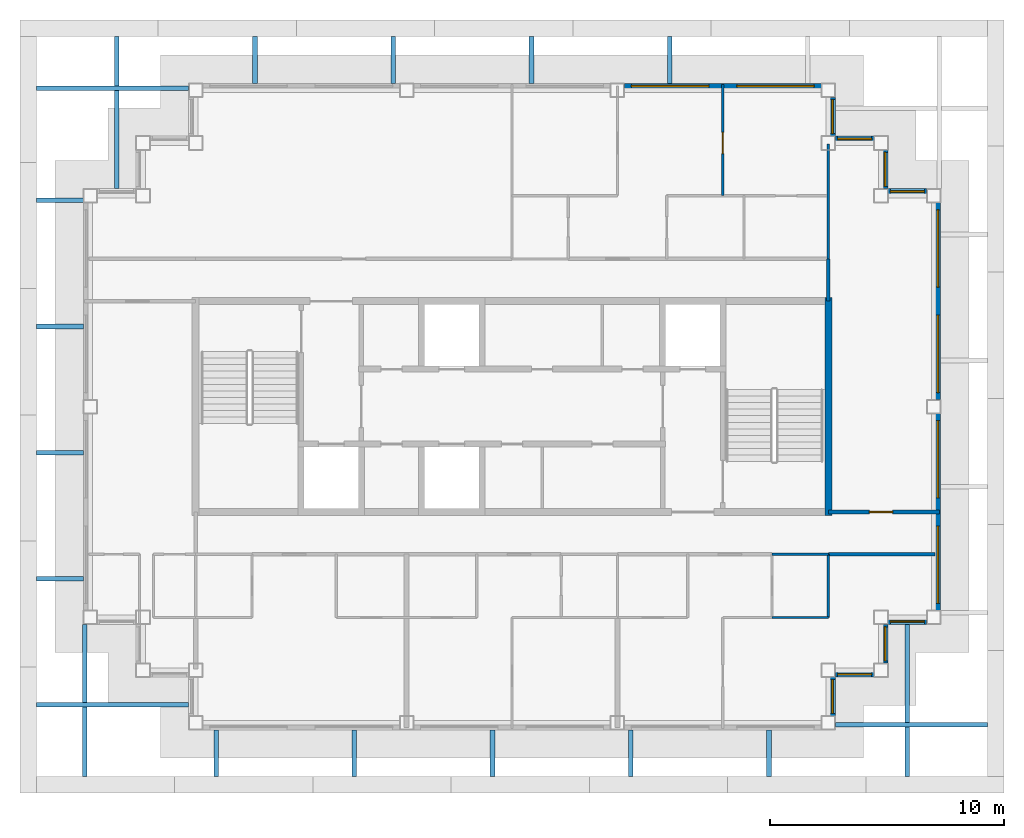
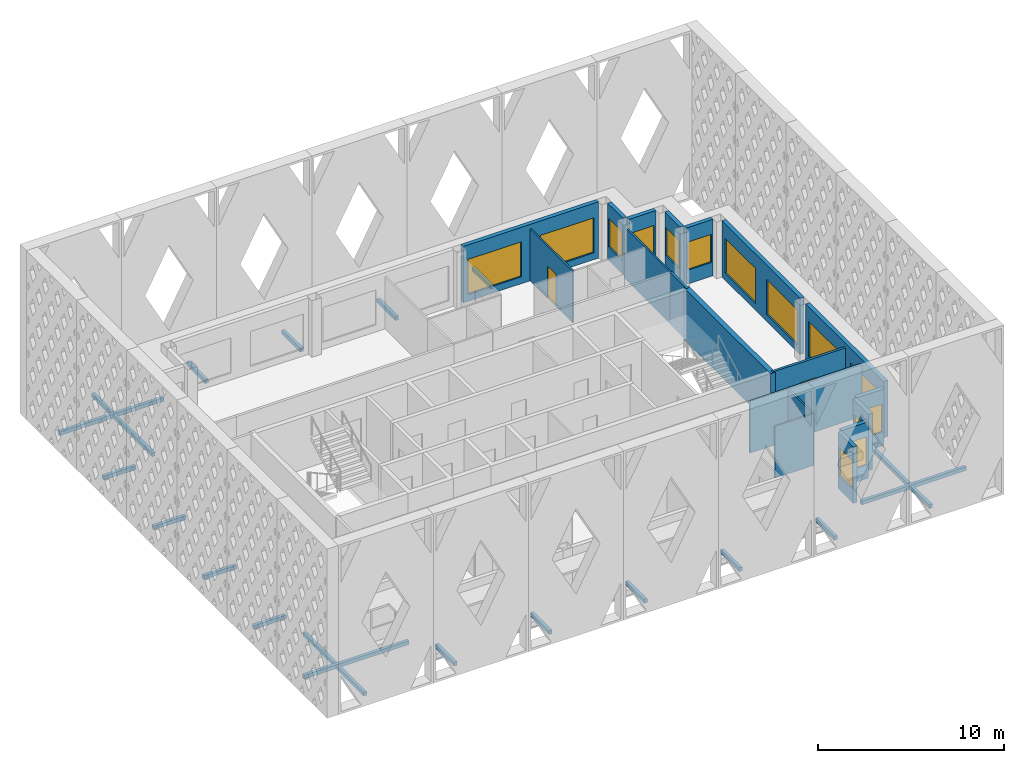
# One storey, part 5 of 13: 20 walls, 19 discrete accessories, 14 windows, 2 doors, 16 openings.
"""IFC4 building model written with IfcOpenShell, lengths in metres."""

from ifc_helpers import new_model, si_unit, direction, frame, frame_2d, origin, origin_2d, place, context, subcontext, project, spatial, rectangle, extrude, material, layer, layer_set, type_object, element, fill, save


model = new_model("IFC4")

# Units and contexts
model_context = context("Model", 3, precision=1e-05, world=origin(), true_north=direction((0.0, 1.0)))
body_context = subcontext(model_context, "Body", "Model", "MODEL_VIEW")
ifc_project = project(units=[si_unit("LENGTHUNIT", "METRE"), si_unit("AREAUNIT", "SQUARE_METRE"), si_unit("VOLUMEUNIT", "CUBIC_METRE"), si_unit("PLANEANGLEUNIT", "RADIAN"), si_unit("MASSUNIT", "GRAM", prefix="KILO")], contexts=[model_context])

# Site, building, storey
site_placement = place(None, origin())
site = spatial("IfcSite", under=ifc_project, at=site_placement, CompositionType="ELEMENT")
building_placement = place(site_placement, origin())
building = spatial("IfcBuilding", under=site, at=building_placement, Name="Caravel Reach Hotel and Residences", CompositionType="ELEMENT")
storey_placement = place(building_placement, frame((0.0, 0.0, 294.5)))
storey = spatial("IfcBuildingStorey", under=building, at=storey_placement, Name="L75", CompositionType="ELEMENT", Elevation=294.5)

# Walls
ifc_material_1 = material(Name="Gypsum board on steel stud", Category="steel")
ifc_layer_1 = layer(ifc_material_1, 0.10009765625)
ifc_layer_set_1 = layer_set([ifc_layer_1], Name="Bathroom pod wall 100 mm")
wall_type_1 = type_object("IfcWallType", Name="Bathroom pod wall 100 mm", PredefinedType="PARTITIONING", material=ifc_layer_set_1)
for number, where, z_axis, x_axis, name in (
    (1, (42.60009765625, 18.0, 0.0), (0.0, 0.0, 1.0), (1.0, 0.0, 0.0), "L75 wall w047"),
    (2, (42.60009765625, 20.699951171875, 0.0), (0.0, 0.0, 1.0), (1.0, 0.0, 0.0), "L75 wall w050"),
):
    element("IfcWall", number, at=place(storey_placement, frame(where, z_axis=z_axis, x_axis=x_axis)), inside=storey, type_object=wall_type_1, Name=name, PredefinedType="PARTITIONING", context=body_context, shape_type="SweptSolid", body=[
        extrude(rectangle(XDim=2.39990234375, YDim=0.10009765625, at=frame_2d((1.199951171875, 0.0))), origin(), (0.0, 0.0, 1.0), 3.39990234375),
    ])
wall_1_placement = place(storey_placement, frame((45.0, 18.0, 0.0), z_axis=(0.0, 0.0, 1.0), x_axis=(0.0, 1.0, 0.0)))
element("IfcWall", 3, at=wall_1_placement, inside=storey, type_object=wall_type_1, Name="L75 wall w062", PredefinedType="PARTITIONING", context=body_context, shape_type="SweptSolid", body=[
    extrude(rectangle(XDim=2.698974609375, YDim=0.10009765625, at=frame_2d((1.349609375, 0.0))), origin(), (0.0, 0.0, 1.0), 3.39990234375),
])
ifc_material_2 = material(Name="Concrete C60", Category="concrete")
ifc_layer_2 = layer(ifc_material_2, 0.300048828125)
ifc_layer_set_2 = layer_set([ifc_layer_2], Name="Core wall 300 mm EI 120")
wall_type_2 = type_object("IfcWallType", Name="Core wall 300 mm EI 120", PredefinedType="SHEAR", material=ifc_layer_set_2)
wall_2_placement = place(storey_placement, frame((45.0, 22.35009765625, 0.0), z_axis=(0.0, 0.0, 1.0), x_axis=(0.0, 1.0, 0.0)))
element("IfcWall", 4, at=wall_2_placement, inside=storey, type_object=wall_type_2, Name="L75 core wall E", PredefinedType="SHEAR", context=body_context, shape_type="SweptSolid", body=[
    extrude(rectangle(XDim=9.2998046875, YDim=0.300048828125, at=frame_2d((4.64990234375, 0.0))), origin(), (0.0, 0.0, 1.0), 3.39990234375),
])
ifc_material_3 = material(Name="Gypsum board on steel stud, fire-rated", Category="steel")
ifc_layer_3 = layer(ifc_material_3, 0.14990234375)
ifc_layer_set_3 = layer_set([ifc_layer_3], Name="Corridor wall 150 mm EI 60")
wall_type_3 = type_object("IfcWallType", Name="Corridor wall 150 mm EI 60", PredefinedType="PARTITIONING", material=ifc_layer_set_3)
wall_3_placement = place(storey_placement, frame((45.0009765625, 20.699951171875, 0.0), z_axis=(0.0, 0.0, 1.0), x_axis=(1.0, 0.0, 0.0)))
element("IfcWall", 5, at=wall_3_placement, inside=storey, type_object=wall_type_3, Name="L75 wall w005", PredefinedType="PARTITIONING", context=body_context, shape_type="SweptSolid", body=[
    extrude(rectangle(XDim=4.549072265625, YDim=0.14990234375, at=frame_2d((2.2744140625, 0.0))), origin(), (0.0, 0.0, 1.0), 3.39990234375),
])

# Wall, opening, door
wall_4_placement = place(storey_placement, frame((45.0, 22.5, 0.0), z_axis=(0.0, 0.0, 1.0), x_axis=(1.0, 0.0, 0.0)))
wall_4 = element("IfcWall", 6, at=wall_4_placement, inside=storey, type_object=wall_type_3, Name="L75 wall w008", PredefinedType="PARTITIONING", context=body_context, shape_type="SweptSolid", body=[
    extrude(rectangle(XDim=4.739990234375, YDim=0.14990234375, at=frame_2d((2.3701171875, 0.0))), origin(), (0.0, 0.0, 1.0), 3.39990234375),
])
opening_1_placement = place(wall_4_placement, frame((1.75, 0.0, 0.0)))
opening_1 = element("IfcOpeningElement", 7, at=opening_1_placement, cuts=wall_4, Name="Opening D75-038", PredefinedType="OPENING", context=body_context, shape_type="SweptSolid", body=[
    extrude(rectangle(XDim=1.0, YDim=2.10009765625, at=frame_2d((0.5, 1.050048828125))), frame((0.0, 0.0849609375, 0.0), z_axis=(0.0, -1.0, 0.0), x_axis=(1.0, 0.0, 0.0)), (0.0, 0.0, 1.0), 0.169921875),
])
ifc_material_4 = material(Name="Steel fire door leaf", Category="steel")
door_type_1 = type_object("IfcDoorType", Name="Fire door 1000 x 2100 EI 60", OperationType="SINGLE_SWING_LEFT", PredefinedType="DOOR", material=ifc_material_4)
door_1_placement = place(opening_1_placement, origin())
door_1 = element("IfcDoor", 8, at=door_1_placement, inside=storey, type_object=door_type_1, Name="door D75-038", OperationType="SINGLE_SWING_RIGHT", OverallHeight=2.10009765625, OverallWidth=1.0, PredefinedType="DOOR", context=body_context, shape_type="SweptSolid", body=[
    extrude(rectangle(XDim=1.0, YDim=2.10009765625, at=frame_2d((0.5, 1.050048828125))), frame((0.0, 0.02490234375, 0.0), z_axis=(0.0, -1.0, 0.0), x_axis=(1.0, 0.0, 0.0)), (0.0, 0.0, 1.0), 0.050048828125),
])
fill(opening_1, door_1)

# Wall
wall_5_placement = place(storey_placement, frame((45.0, 31.5, 0.0), z_axis=(0.0, 0.0, 1.0), x_axis=(0.0, 1.0, 0.0)))
element("IfcWall", 9, at=wall_5_placement, inside=storey, type_object=wall_type_3, Name="L75 wall w016", PredefinedType="PARTITIONING", context=body_context, shape_type="SweptSolid", body=[
    extrude(rectangle(XDim=1.800048828125, YDim=0.14990234375, at=frame_2d((0.89990234375, 0.0))), origin(), (0.0, 0.0, 1.0), 3.39990234375),
])

# Wall, opening, window
ifc_material_5 = material(Name="Insulated rainscreen wall, aluminium cladding", Category="aluminium")
ifc_layer_4 = layer(ifc_material_5, 0.25)
ifc_layer_set_4 = layer_set([ifc_layer_4], Name="EW1 Tower rainscreen wall")
wall_type_4 = type_object("IfcWallType", Name="EW1 Tower rainscreen wall", PredefinedType="SOLIDWALL", material=ifc_layer_set_4)
wall_6_placement = place(storey_placement, frame((45.175048828125, 13.800048828125, 0.0), z_axis=(0.0, 0.0, 1.0), x_axis=(0.0, 1.0, 0.0)))
wall_6 = element("IfcWall", 10, at=wall_6_placement, inside=storey, type_object=wall_type_4, Name="External wall L75 E1.1", PredefinedType="SOLIDWALL", context=body_context, shape_type="SweptSolid", body=[
    extrude(rectangle(XDim=1.64990234375, YDim=0.25, at=frame_2d((0.824951171875, 0.0))), origin(), (0.0, 0.0, 1.0), 3.699951171875),
])
opening_2_placement = place(wall_6_placement, frame((0.10009765625, 0.0, 0.89990234375)))
opening_2 = element("IfcOpeningElement", 11, at=opening_2_placement, cuts=wall_6, Name="Opening WN25", PredefinedType="OPENING", context=body_context, shape_type="SweptSolid", body=[
    extrude(rectangle(XDim=1.449951171875, YDim=1.85009765625, at=frame_2d((0.72509765625, 0.925048828125))), frame((0.0, 0.135009765625, 0.0), z_axis=(0.0, -1.0, 0.0), x_axis=(1.0, 0.0, 0.0)), (0.0, 0.0, 1.0), 0.27001953125),
])
ifc_material_6 = material(Name="Dark low-e glazing in black aluminium frame", Category="aluminium")
window_type_1 = type_object("IfcWindowType", Name="Residence bedroom window 1450 x 1850", PartitioningType="SINGLE_PANEL", PredefinedType="WINDOW", material=ifc_material_6)
window_1_placement = place(opening_2_placement, origin())
window_1 = element("IfcWindow", 12, at=window_1_placement, inside=storey, type_object=window_type_1, Name="Window L75 E1.1.1", OverallHeight=1.85009765625, OverallWidth=1.449951171875, PartitioningType="SINGLE_PANEL", PredefinedType="WINDOW", context=body_context, shape_type="SweptSolid", body=[
    extrude(rectangle(XDim=1.449951171875, YDim=1.85009765625, at=frame_2d((0.72509765625, 0.925048828125))), frame((0.0, 0.030029296875, 0.0), z_axis=(0.0, -1.0, 0.0), x_axis=(1.0, 0.0, 0.0)), (0.0, 0.0, 1.0), 0.06005859375),
])
fill(opening_2, window_1)

wall_7_placement = place(storey_placement, frame((45.300048828125, 15.574951171875, 0.0), z_axis=(0.0, 0.0, 1.0), x_axis=(1.0, 0.0, 0.0)))
wall_7 = element("IfcWall", 13, at=wall_7_placement, inside=storey, type_object=wall_type_4, Name="External wall L75 S2.1", PredefinedType="SOLIDWALL", context=body_context, shape_type="SweptSolid", body=[
    extrude(rectangle(XDim=1.64990234375, YDim=0.25, at=frame_2d((0.824951171875, 0.0))), origin(), (0.0, 0.0, 1.0), 3.699951171875),
])
opening_3_placement = place(wall_7_placement, frame((0.10009765625, 0.0, 0.89990234375)))
opening_3 = element("IfcOpeningElement", 14, at=opening_3_placement, cuts=wall_7, Name="Opening WN25", PredefinedType="OPENING", context=body_context, shape_type="SweptSolid", body=[
    extrude(rectangle(XDim=1.449951171875, YDim=1.85009765625, at=frame_2d((0.72509765625, 0.925048828125))), frame((0.0, 0.135009765625, 0.0), z_axis=(0.0, -1.0, 0.0), x_axis=(1.0, 0.0, 0.0)), (0.0, 0.0, 1.0), 0.27001953125),
])
window_2_placement = place(opening_3_placement, origin())
window_2 = element("IfcWindow", 15, at=window_2_placement, inside=storey, type_object=window_type_1, Name="Window L75 S2.1.1", OverallHeight=1.85009765625, OverallWidth=1.449951171875, PartitioningType="SINGLE_PANEL", PredefinedType="WINDOW", context=body_context, shape_type="SweptSolid", body=[
    extrude(rectangle(XDim=1.449951171875, YDim=1.85009765625, at=frame_2d((0.72509765625, 0.925048828125))), frame((0.0, 0.030029296875, 0.0), z_axis=(0.0, -1.0, 0.0), x_axis=(1.0, 0.0, 0.0)), (0.0, 0.0, 1.0), 0.06005859375),
])
fill(opening_3, window_2)

wall_8_placement = place(storey_placement, frame((47.425048828125, 16.050048828125, 0.0), z_axis=(0.0, 0.0, 1.0), x_axis=(0.0, 1.0, 0.0)))
wall_8 = element("IfcWall", 16, at=wall_8_placement, inside=storey, type_object=wall_type_4, Name="External wall L75 E3.1", PredefinedType="SOLIDWALL", context=body_context, shape_type="SweptSolid", body=[
    extrude(rectangle(XDim=1.64990234375, YDim=0.25, at=frame_2d((0.824951171875, 0.0))), origin(), (0.0, 0.0, 1.0), 3.699951171875),
])
opening_4_placement = place(wall_8_placement, frame((0.10009765625, 0.0, 0.89990234375)))
opening_4 = element("IfcOpeningElement", 17, at=opening_4_placement, cuts=wall_8, Name="Opening WN25", PredefinedType="OPENING", context=body_context, shape_type="SweptSolid", body=[
    extrude(rectangle(XDim=1.449951171875, YDim=1.85009765625, at=frame_2d((0.72509765625, 0.925048828125))), frame((0.0, 0.135009765625, 0.0), z_axis=(0.0, -1.0, 0.0), x_axis=(1.0, 0.0, 0.0)), (0.0, 0.0, 1.0), 0.27001953125),
])
window_3_placement = place(opening_4_placement, origin())
window_3 = element("IfcWindow", 18, at=window_3_placement, inside=storey, type_object=window_type_1, Name="Window L75 E3.1.1", OverallHeight=1.85009765625, OverallWidth=1.449951171875, PartitioningType="SINGLE_PANEL", PredefinedType="WINDOW", context=body_context, shape_type="SweptSolid", body=[
    extrude(rectangle(XDim=1.449951171875, YDim=1.85009765625, at=frame_2d((0.72509765625, 0.925048828125))), frame((0.0, 0.030029296875, 0.0), z_axis=(0.0, -1.0, 0.0), x_axis=(1.0, 0.0, 0.0)), (0.0, 0.0, 1.0), 0.06005859375),
])
fill(opening_4, window_3)

wall_9_placement = place(storey_placement, frame((47.550048828125, 17.824951171875, 0.0), z_axis=(0.0, 0.0, 1.0), x_axis=(1.0, 0.0, 0.0)))
wall_9 = element("IfcWall", 19, at=wall_9_placement, inside=storey, type_object=wall_type_4, Name="External wall L75 S4.1", PredefinedType="SOLIDWALL", context=body_context, shape_type="SweptSolid", body=[
    extrude(rectangle(XDim=1.64990234375, YDim=0.25, at=frame_2d((0.824951171875, 0.0))), origin(), (0.0, 0.0, 1.0), 3.699951171875),
])
opening_5_placement = place(wall_9_placement, frame((0.10009765625, 0.0, 0.89990234375)))
opening_5 = element("IfcOpeningElement", 20, at=opening_5_placement, cuts=wall_9, Name="Opening WN25", PredefinedType="OPENING", context=body_context, shape_type="SweptSolid", body=[
    extrude(rectangle(XDim=1.449951171875, YDim=1.85009765625, at=frame_2d((0.72509765625, 0.925048828125))), frame((0.0, 0.135009765625, 0.0), z_axis=(0.0, -1.0, 0.0), x_axis=(1.0, 0.0, 0.0)), (0.0, 0.0, 1.0), 0.27001953125),
])
window_4_placement = place(opening_5_placement, origin())
window_4 = element("IfcWindow", 21, at=window_4_placement, inside=storey, type_object=window_type_1, Name="Window L75 S4.1.1", OverallHeight=1.85009765625, OverallWidth=1.449951171875, PartitioningType="SINGLE_PANEL", PredefinedType="WINDOW", context=body_context, shape_type="SweptSolid", body=[
    extrude(rectangle(XDim=1.449951171875, YDim=1.85009765625, at=frame_2d((0.72509765625, 0.925048828125))), frame((0.0, 0.030029296875, 0.0), z_axis=(0.0, -1.0, 0.0), x_axis=(1.0, 0.0, 0.0)), (0.0, 0.0, 1.0), 0.06005859375),
])
fill(opening_5, window_4)

# Wall, openings, windows
wall_10_placement = place(storey_placement, frame((49.675048828125, 18.300048828125, 0.0), z_axis=(0.0, 0.0, 1.0), x_axis=(0.0, 1.0, 0.0)))
wall_10 = element("IfcWall", 22, at=wall_10_placement, inside=storey, type_object=wall_type_4, Name="External wall L75 E5.1", PredefinedType="SOLIDWALL", context=body_context, shape_type="SweptSolid", body=[
    extrude(rectangle(XDim=8.39990234375, YDim=0.25, at=frame_2d((4.199951171875, 0.0))), origin(), (0.0, 0.0, 1.0), 3.699951171875),
])
opening_6_placement = place(wall_10_placement, frame((0.300048828125, 0.0, 0.449951171875)))
opening_6 = element("IfcOpeningElement", 23, at=opening_6_placement, cuts=wall_10, Name="Opening WN15", PredefinedType="OPENING", context=body_context, shape_type="SweptSolid", body=[
    extrude(rectangle(XDim=3.300048828125, YDim=2.300048828125, at=frame_2d((1.64990234375, 1.14990234375))), frame((0.0, 0.135009765625, 0.0), z_axis=(0.0, -1.0, 0.0), x_axis=(1.0, 0.0, 0.0)), (0.0, 0.0, 1.0), 0.27001953125),
])
opening_7_placement = place(wall_10_placement, frame((4.800048828125, 0.0, 0.449951171875)))
opening_7 = element("IfcOpeningElement", 24, at=opening_7_placement, cuts=wall_10, Name="Opening WN15", PredefinedType="OPENING", context=body_context, shape_type="SweptSolid", body=[
    extrude(rectangle(XDim=3.300048828125, YDim=2.300048828125, at=frame_2d((1.64990234375, 1.14990234375))), frame((0.0, 0.135009765625, 0.0), z_axis=(0.0, -1.0, 0.0), x_axis=(1.0, 0.0, 0.0)), (0.0, 0.0, 1.0), 0.27001953125),
])
ifc_material_7 = material(Name="Dark low-e glazing in black aluminium frame", Category="aluminium")
window_type_2 = type_object("IfcWindowType", Name="Residence living window 3300 x 2300", PartitioningType="SINGLE_PANEL", PredefinedType="WINDOW", material=ifc_material_7)
window_5_placement = place(opening_6_placement, origin())
window_5 = element("IfcWindow", 25, at=window_5_placement, inside=storey, type_object=window_type_2, Name="Window L75 E5.1.1", OverallHeight=2.300048828125, OverallWidth=3.300048828125, PartitioningType="SINGLE_PANEL", PredefinedType="WINDOW", context=body_context, shape_type="SweptSolid", body=[
    extrude(rectangle(XDim=3.300048828125, YDim=2.300048828125, at=frame_2d((1.64990234375, 1.14990234375))), frame((0.0, 0.030029296875, 0.0), z_axis=(0.0, -1.0, 0.0), x_axis=(1.0, 0.0, 0.0)), (0.0, 0.0, 1.0), 0.06005859375),
])
fill(opening_6, window_5)
window_6_placement = place(opening_7_placement, origin())
window_6 = element("IfcWindow", 26, at=window_6_placement, inside=storey, type_object=window_type_2, Name="Window L75 E5.1.2", OverallHeight=2.300048828125, OverallWidth=3.300048828125, PartitioningType="SINGLE_PANEL", PredefinedType="WINDOW", context=body_context, shape_type="SweptSolid", body=[
    extrude(rectangle(XDim=3.300048828125, YDim=2.300048828125, at=frame_2d((1.64990234375, 1.14990234375))), frame((0.0, 0.030029296875, 0.0), z_axis=(0.0, -1.0, 0.0), x_axis=(1.0, 0.0, 0.0)), (0.0, 0.0, 1.0), 0.06005859375),
])
fill(opening_7, window_6)

wall_11_placement = place(storey_placement, frame((49.675048828125, 27.300048828125, 0.0), z_axis=(0.0, 0.0, 1.0), x_axis=(0.0, 1.0, 0.0)))
wall_11 = element("IfcWall", 27, at=wall_11_placement, inside=storey, type_object=wall_type_4, Name="External wall L75 E5.2", PredefinedType="SOLIDWALL", context=body_context, shape_type="SweptSolid", body=[
    extrude(rectangle(XDim=8.39990234375, YDim=0.25, at=frame_2d((4.199951171875, 0.0))), origin(), (0.0, 0.0, 1.0), 3.699951171875),
])
opening_8_placement = place(wall_11_placement, frame((0.300048828125, 0.0, 0.449951171875)))
opening_8 = element("IfcOpeningElement", 28, at=opening_8_placement, cuts=wall_11, Name="Opening WN15", PredefinedType="OPENING", context=body_context, shape_type="SweptSolid", body=[
    extrude(rectangle(XDim=3.300048828125, YDim=2.300048828125, at=frame_2d((1.64990234375, 1.14990234375))), frame((0.0, 0.135009765625, 0.0), z_axis=(0.0, -1.0, 0.0), x_axis=(1.0, 0.0, 0.0)), (0.0, 0.0, 1.0), 0.27001953125),
])
opening_9_placement = place(wall_11_placement, frame((4.800048828125, 0.0, 0.449951171875)))
opening_9 = element("IfcOpeningElement", 29, at=opening_9_placement, cuts=wall_11, Name="Opening WN15", PredefinedType="OPENING", context=body_context, shape_type="SweptSolid", body=[
    extrude(rectangle(XDim=3.300048828125, YDim=2.300048828125, at=frame_2d((1.64990234375, 1.14990234375))), frame((0.0, 0.135009765625, 0.0), z_axis=(0.0, -1.0, 0.0), x_axis=(1.0, 0.0, 0.0)), (0.0, 0.0, 1.0), 0.27001953125),
])
window_7_placement = place(opening_8_placement, origin())
window_7 = element("IfcWindow", 30, at=window_7_placement, inside=storey, type_object=window_type_2, Name="Window L75 E5.2.1", OverallHeight=2.300048828125, OverallWidth=3.300048828125, PartitioningType="SINGLE_PANEL", PredefinedType="WINDOW", context=body_context, shape_type="SweptSolid", body=[
    extrude(rectangle(XDim=3.300048828125, YDim=2.300048828125, at=frame_2d((1.64990234375, 1.14990234375))), frame((0.0, 0.030029296875, 0.0), z_axis=(0.0, -1.0, 0.0), x_axis=(1.0, 0.0, 0.0)), (0.0, 0.0, 1.0), 0.06005859375),
])
fill(opening_8, window_7)
window_8_placement = place(opening_9_placement, origin())
window_8 = element("IfcWindow", 31, at=window_8_placement, inside=storey, type_object=window_type_2, Name="Window L75 E5.2.2", OverallHeight=2.300048828125, OverallWidth=3.300048828125, PartitioningType="SINGLE_PANEL", PredefinedType="WINDOW", context=body_context, shape_type="SweptSolid", body=[
    extrude(rectangle(XDim=3.300048828125, YDim=2.300048828125, at=frame_2d((1.64990234375, 1.14990234375))), frame((0.0, 0.030029296875, 0.0), z_axis=(0.0, -1.0, 0.0), x_axis=(1.0, 0.0, 0.0)), (0.0, 0.0, 1.0), 0.06005859375),
])
fill(opening_9, window_8)

# Wall, opening, window
wall_12_placement = place(storey_placement, frame((49.199951171875, 36.175048828125, 0.0), z_axis=(0.0, 0.0, 1.0), x_axis=(-1.0, 0.0, 0.0)))
wall_12 = element("IfcWall", 32, at=wall_12_placement, inside=storey, type_object=wall_type_4, Name="External wall L75 N6.1", PredefinedType="SOLIDWALL", context=body_context, shape_type="SweptSolid", body=[
    extrude(rectangle(XDim=1.64990234375, YDim=0.25, at=frame_2d((0.824951171875, 0.0))), origin(), (0.0, 0.0, 1.0), 3.699951171875),
])
opening_10_placement = place(wall_12_placement, frame((0.10009765625, 0.0, 0.89990234375)))
opening_10 = element("IfcOpeningElement", 33, at=opening_10_placement, cuts=wall_12, Name="Opening WN25", PredefinedType="OPENING", context=body_context, shape_type="SweptSolid", body=[
    extrude(rectangle(XDim=1.449951171875, YDim=1.85009765625, at=frame_2d((0.72509765625, 0.925048828125))), frame((0.0, 0.135009765625, 0.0), z_axis=(0.0, -1.0, 0.0), x_axis=(1.0, 0.0, 0.0)), (0.0, 0.0, 1.0), 0.27001953125),
])
window_9_placement = place(opening_10_placement, origin())
window_9 = element("IfcWindow", 34, at=window_9_placement, inside=storey, type_object=window_type_1, Name="Window L75 N6.1.1", OverallHeight=1.85009765625, OverallWidth=1.449951171875, PartitioningType="SINGLE_PANEL", PredefinedType="WINDOW", context=body_context, shape_type="SweptSolid", body=[
    extrude(rectangle(XDim=1.449951171875, YDim=1.85009765625, at=frame_2d((0.72509765625, 0.925048828125))), frame((0.0, 0.030029296875, 0.0), z_axis=(0.0, -1.0, 0.0), x_axis=(1.0, 0.0, 0.0)), (0.0, 0.0, 1.0), 0.06005859375),
])
fill(opening_10, window_9)

wall_13_placement = place(storey_placement, frame((47.425048828125, 36.300048828125, 0.0), z_axis=(0.0, 0.0, 1.0), x_axis=(0.0, 1.0, 0.0)))
wall_13 = element("IfcWall", 35, at=wall_13_placement, inside=storey, type_object=wall_type_4, Name="External wall L75 E7.1", PredefinedType="SOLIDWALL", context=body_context, shape_type="SweptSolid", body=[
    extrude(rectangle(XDim=1.64990234375, YDim=0.25, at=frame_2d((0.824951171875, 0.0))), origin(), (0.0, 0.0, 1.0), 3.699951171875),
])
opening_11_placement = place(wall_13_placement, frame((0.10009765625, 0.0, 0.89990234375)))
opening_11 = element("IfcOpeningElement", 36, at=opening_11_placement, cuts=wall_13, Name="Opening WN25", PredefinedType="OPENING", context=body_context, shape_type="SweptSolid", body=[
    extrude(rectangle(XDim=1.449951171875, YDim=1.85009765625, at=frame_2d((0.72509765625, 0.925048828125))), frame((0.0, 0.135009765625, 0.0), z_axis=(0.0, -1.0, 0.0), x_axis=(1.0, 0.0, 0.0)), (0.0, 0.0, 1.0), 0.27001953125),
])
window_10_placement = place(opening_11_placement, origin())
window_10 = element("IfcWindow", 37, at=window_10_placement, inside=storey, type_object=window_type_1, Name="Window L75 E7.1.1", OverallHeight=1.85009765625, OverallWidth=1.449951171875, PartitioningType="SINGLE_PANEL", PredefinedType="WINDOW", context=body_context, shape_type="SweptSolid", body=[
    extrude(rectangle(XDim=1.449951171875, YDim=1.85009765625, at=frame_2d((0.72509765625, 0.925048828125))), frame((0.0, 0.030029296875, 0.0), z_axis=(0.0, -1.0, 0.0), x_axis=(1.0, 0.0, 0.0)), (0.0, 0.0, 1.0), 0.06005859375),
])
fill(opening_11, window_10)

wall_14_placement = place(storey_placement, frame((46.949951171875, 38.425048828125, 0.0), z_axis=(0.0, 0.0, 1.0), x_axis=(-1.0, 0.0, 0.0)))
wall_14 = element("IfcWall", 38, at=wall_14_placement, inside=storey, type_object=wall_type_4, Name="External wall L75 N8.1", PredefinedType="SOLIDWALL", context=body_context, shape_type="SweptSolid", body=[
    extrude(rectangle(XDim=1.64990234375, YDim=0.25, at=frame_2d((0.824951171875, 0.0))), origin(), (0.0, 0.0, 1.0), 3.699951171875),
])
opening_12_placement = place(wall_14_placement, frame((0.10009765625, 0.0, 0.89990234375)))
opening_12 = element("IfcOpeningElement", 39, at=opening_12_placement, cuts=wall_14, Name="Opening WN25", PredefinedType="OPENING", context=body_context, shape_type="SweptSolid", body=[
    extrude(rectangle(XDim=1.449951171875, YDim=1.85009765625, at=frame_2d((0.72509765625, 0.925048828125))), frame((0.0, 0.135009765625, 0.0), z_axis=(0.0, -1.0, 0.0), x_axis=(1.0, 0.0, 0.0)), (0.0, 0.0, 1.0), 0.27001953125),
])
window_11_placement = place(opening_12_placement, origin())
window_11 = element("IfcWindow", 40, at=window_11_placement, inside=storey, type_object=window_type_1, Name="Window L75 N8.1.1", OverallHeight=1.85009765625, OverallWidth=1.449951171875, PartitioningType="SINGLE_PANEL", PredefinedType="WINDOW", context=body_context, shape_type="SweptSolid", body=[
    extrude(rectangle(XDim=1.449951171875, YDim=1.85009765625, at=frame_2d((0.72509765625, 0.925048828125))), frame((0.0, 0.030029296875, 0.0), z_axis=(0.0, -1.0, 0.0), x_axis=(1.0, 0.0, 0.0)), (0.0, 0.0, 1.0), 0.06005859375),
])
fill(opening_12, window_11)

wall_15_placement = place(storey_placement, frame((45.175048828125, 38.550048828125, 0.0), z_axis=(0.0, 0.0, 1.0), x_axis=(0.0, 1.0, 0.0)))
wall_15 = element("IfcWall", 41, at=wall_15_placement, inside=storey, type_object=wall_type_4, Name="External wall L75 E9.1", PredefinedType="SOLIDWALL", context=body_context, shape_type="SweptSolid", body=[
    extrude(rectangle(XDim=1.64990234375, YDim=0.25, at=frame_2d((0.824951171875, 0.0))), origin(), (0.0, 0.0, 1.0), 3.699951171875),
])
opening_13_placement = place(wall_15_placement, frame((0.10009765625, 0.0, 0.89990234375)))
opening_13 = element("IfcOpeningElement", 42, at=opening_13_placement, cuts=wall_15, Name="Opening WN25", PredefinedType="OPENING", context=body_context, shape_type="SweptSolid", body=[
    extrude(rectangle(XDim=1.449951171875, YDim=1.85009765625, at=frame_2d((0.72509765625, 0.925048828125))), frame((0.0, 0.135009765625, 0.0), z_axis=(0.0, -1.0, 0.0), x_axis=(1.0, 0.0, 0.0)), (0.0, 0.0, 1.0), 0.27001953125),
])
window_12_placement = place(opening_13_placement, origin())
window_12 = element("IfcWindow", 43, at=window_12_placement, inside=storey, type_object=window_type_1, Name="Window L75 E9.1.1", OverallHeight=1.85009765625, OverallWidth=1.449951171875, PartitioningType="SINGLE_PANEL", PredefinedType="WINDOW", context=body_context, shape_type="SweptSolid", body=[
    extrude(rectangle(XDim=1.449951171875, YDim=1.85009765625, at=frame_2d((0.72509765625, 0.925048828125))), frame((0.0, 0.030029296875, 0.0), z_axis=(0.0, -1.0, 0.0), x_axis=(1.0, 0.0, 0.0)), (0.0, 0.0, 1.0), 0.06005859375),
])
fill(opening_13, window_12)

# Wall, openings, windows
wall_16_placement = place(storey_placement, frame((44.699951171875, 40.675048828125, 0.0), z_axis=(0.0, 0.0, 1.0), x_axis=(-1.0, 0.0, 0.0)))
wall_16 = element("IfcWall", 44, at=wall_16_placement, inside=storey, type_object=wall_type_4, Name="External wall L75 N10.1", PredefinedType="SOLIDWALL", context=body_context, shape_type="SweptSolid", body=[
    extrude(rectangle(XDim=8.39990234375, YDim=0.25, at=frame_2d((4.199951171875, 0.0))), origin(), (0.0, 0.0, 1.0), 3.699951171875),
])
opening_14_placement = place(wall_16_placement, frame((0.300048828125, 0.0, 0.449951171875)))
opening_14 = element("IfcOpeningElement", 45, at=opening_14_placement, cuts=wall_16, Name="Opening WN15", PredefinedType="OPENING", context=body_context, shape_type="SweptSolid", body=[
    extrude(rectangle(XDim=3.300048828125, YDim=2.300048828125, at=frame_2d((1.64990234375, 1.14990234375))), frame((0.0, 0.135009765625, 0.0), z_axis=(0.0, -1.0, 0.0), x_axis=(1.0, 0.0, 0.0)), (0.0, 0.0, 1.0), 0.27001953125),
])
opening_15_placement = place(wall_16_placement, frame((4.800048828125, 0.0, 0.449951171875)))
opening_15 = element("IfcOpeningElement", 46, at=opening_15_placement, cuts=wall_16, Name="Opening WN15", PredefinedType="OPENING", context=body_context, shape_type="SweptSolid", body=[
    extrude(rectangle(XDim=3.300048828125, YDim=2.300048828125, at=frame_2d((1.64990234375, 1.14990234375))), frame((0.0, 0.135009765625, 0.0), z_axis=(0.0, -1.0, 0.0), x_axis=(1.0, 0.0, 0.0)), (0.0, 0.0, 1.0), 0.27001953125),
])
window_13_placement = place(opening_14_placement, origin())
window_13 = element("IfcWindow", 47, at=window_13_placement, inside=storey, type_object=window_type_2, Name="Window L75 N10.1.1", OverallHeight=2.300048828125, OverallWidth=3.300048828125, PartitioningType="SINGLE_PANEL", PredefinedType="WINDOW", context=body_context, shape_type="SweptSolid", body=[
    extrude(rectangle(XDim=3.300048828125, YDim=2.300048828125, at=frame_2d((1.64990234375, 1.14990234375))), frame((0.0, 0.030029296875, 0.0), z_axis=(0.0, -1.0, 0.0), x_axis=(1.0, 0.0, 0.0)), (0.0, 0.0, 1.0), 0.06005859375),
])
fill(opening_14, window_13)
window_14_placement = place(opening_15_placement, origin())
window_14 = element("IfcWindow", 48, at=window_14_placement, inside=storey, type_object=window_type_2, Name="Window L75 N10.1.2", OverallHeight=2.300048828125, OverallWidth=3.300048828125, PartitioningType="SINGLE_PANEL", PredefinedType="WINDOW", context=body_context, shape_type="SweptSolid", body=[
    extrude(rectangle(XDim=3.300048828125, YDim=2.300048828125, at=frame_2d((1.64990234375, 1.14990234375))), frame((0.0, 0.030029296875, 0.0), z_axis=(0.0, -1.0, 0.0), x_axis=(1.0, 0.0, 0.0)), (0.0, 0.0, 1.0), 0.06005859375),
])
fill(opening_15, window_14)

# Wall, opening, door
ifc_material_8 = material(Name="Gypsum board on steel stud", Category="steel")
ifc_layer_5 = layer(ifc_material_8, 0.10009765625)
ifc_layer_set_5 = layer_set([ifc_layer_5], Name="Partition 100 mm")
wall_type_5 = type_object("IfcWallType", Name="Partition 100 mm", PredefinedType="PARTITIONING", material=ifc_layer_set_5)
wall_17_placement = place(storey_placement, frame((40.5, 36.0, 0.0), z_axis=(0.0, 0.0, 1.0), x_axis=(0.0, 1.0, 0.0)))
wall_17 = element("IfcWall", 49, at=wall_17_placement, inside=storey, type_object=wall_type_5, Name="L75 wall w036", PredefinedType="PARTITIONING", context=body_context, shape_type="SweptSolid", body=[
    extrude(rectangle(XDim=4.739990234375, YDim=0.10009765625, at=frame_2d((2.3701171875, 0.0))), origin(), (0.0, 0.0, 1.0), 3.39990234375),
])
opening_16_placement = place(wall_17_placement, frame((1.800048828125, 0.0, 0.0)))
opening_16 = element("IfcOpeningElement", 50, at=opening_16_placement, cuts=wall_17, Name="Opening D75-023", PredefinedType="OPENING", context=body_context, shape_type="SweptSolid", body=[
    extrude(rectangle(XDim=0.89990234375, YDim=2.10009765625, at=frame_2d((0.449951171875, 1.050048828125))), frame((0.0, 0.06005859375, 0.0), z_axis=(0.0, -1.0, 0.0), x_axis=(1.0, 0.0, 0.0)), (0.0, 0.0, 1.0), 0.1201171875),
])
ifc_material_9 = material(Name="Timber and steel door leaf", Category="steel")
door_type_2 = type_object("IfcDoorType", Name="Door 900 x 2100 timber", OperationType="SINGLE_SWING_LEFT", PredefinedType="DOOR", material=ifc_material_9)
door_2_placement = place(opening_16_placement, origin())
door_2 = element("IfcDoor", 51, at=door_2_placement, inside=storey, type_object=door_type_2, Name="door D75-023", OperationType="SINGLE_SWING_LEFT", OverallHeight=2.10009765625, OverallWidth=0.89990234375, PredefinedType="DOOR", context=body_context, shape_type="SweptSolid", body=[
    extrude(rectangle(XDim=0.89990234375, YDim=2.10009765625, at=frame_2d((0.449951171875, 1.050048828125))), frame((0.0, 0.02490234375, 0.0), z_axis=(0.0, -1.0, 0.0), x_axis=(1.0, 0.0, 0.0)), (0.0, 0.0, 1.0), 0.050048828125),
])
fill(opening_16, door_2)

# Wall
wall_18_placement = place(storey_placement, frame((45.0, 33.300048828125, 0.0), z_axis=(0.0, 0.0, 1.0), x_axis=(0.0, 1.0, 0.0)))
element("IfcWall", 52, at=wall_18_placement, inside=storey, type_object=wall_type_5, Name="L75 wall w040", PredefinedType="PARTITIONING", context=body_context, shape_type="SweptSolid", body=[
    extrude(rectangle(XDim=4.89990234375, YDim=0.10009765625, at=frame_2d((2.449951171875, 0.0))), origin(), (0.0, 0.0, 1.0), 3.39990234375),
])

# Discrete accessories
ifc_material_10 = material(Name="Black powder-coated aluminium", Category="aluminium")
discrete_accessory_type = type_object("IfcDiscreteAccessoryType", Name="BR1 Screen bracket", PredefinedType="BRACKET", material=ifc_material_10)
discrete_accessory_1_placement = place(storey_placement, frame((48.550048828125, 13.4150390625, 0.10009765625), z_axis=(0.0, 0.0, 1.0), x_axis=(1.0, 0.0, 0.0)))
element("IfcDiscreteAccessory", 53, at=discrete_accessory_1_placement, inside=storey, type_object=discrete_accessory_type, Name="Screen bracket L75 1.1.1", PredefinedType="BRACKET", context=body_context, shape_type="SweptSolid", body=[
    extrude(rectangle(XDim=6.5, YDim=0.199951171875, at=origin_2d()), origin(), (0.0, 0.0, 1.0), 0.25),
])
for number, where, z_axis, x_axis, name in (
    (54, (38.22998046875, 41.800048828125, 0.10009765625), (0.0, 0.0, 1.0), (0.0, 1.0, 0.0), "Screen bracket L75 2.3.1"),
    (55, (32.330078125, 41.800048828125, 0.10009765625), (0.0, 0.0, 1.0), (0.0, 1.0, 0.0), "Screen bracket L75 2.4.1"),
    (56, (26.429931640625, 41.800048828125, 0.10009765625), (0.0, 0.0, 1.0), (0.0, 1.0, 0.0), "Screen bracket L75 2.5.1"),
    (57, (20.530029296875, 41.800048828125, 0.10009765625), (0.0, 0.0, 1.0), (0.0, 1.0, 0.0), "Screen bracket L75 2.6.1"),
):
    element("IfcDiscreteAccessory", number, at=place(storey_placement, frame(where, z_axis=z_axis, x_axis=x_axis)), inside=storey, type_object=discrete_accessory_type, Name=name, PredefinedType="BRACKET", context=body_context, shape_type="SweptSolid", body=[
        extrude(rectangle(XDim=2.0, YDim=0.199951171875, at=origin_2d()), origin(), (0.0, 0.0, 1.0), 0.25),
    ])
for number, where, z_axis, x_axis, name in (
    (58, (14.6298828125, 39.550048828125, 0.10009765625), (0.0, 0.0, 1.0), (0.0, 1.0, 0.0), "Screen bracket L75 2.7.1"),
    (59, (14.449951171875, 40.5849609375, 0.10009765625), (0.0, 0.0, 1.0), (-1.0, 0.0, 0.0), "Screen bracket L75 3.1.1"),
):
    element("IfcDiscreteAccessory", number, at=place(storey_placement, frame(where, z_axis=z_axis, x_axis=x_axis)), inside=storey, type_object=discrete_accessory_type, Name=name, PredefinedType="BRACKET", context=body_context, shape_type="SweptSolid", body=[
        extrude(rectangle(XDim=6.5, YDim=0.199951171875, at=origin_2d()), origin(), (0.0, 0.0, 1.0), 0.25),
    ])
for number, where, z_axis, x_axis, name in (
    (60, (12.199951171875, 35.8017578125, 0.10009765625), (0.0, 0.0, 1.0), (-1.0, 0.0, 0.0), "Screen bracket L75 3.2.1"),
    (61, (12.199951171875, 30.418212890625, 0.10009765625), (0.0, 0.0, 1.0), (-1.0, 0.0, 0.0), "Screen bracket L75 3.3.1"),
    (62, (12.199951171875, 25.034912109375, 0.10009765625), (0.0, 0.0, 1.0), (-1.0, 0.0, 0.0), "Screen bracket L75 3.4.1"),
    (63, (12.199951171875, 19.651611328125, 0.10009765625), (0.0, 0.0, 1.0), (-1.0, 0.0, 0.0), "Screen bracket L75 3.5.1"),
):
    element("IfcDiscreteAccessory", number, at=place(storey_placement, frame(where, z_axis=z_axis, x_axis=x_axis)), inside=storey, type_object=discrete_accessory_type, Name=name, PredefinedType="BRACKET", context=body_context, shape_type="SweptSolid", body=[
        extrude(rectangle(XDim=2.0, YDim=0.199951171875, at=origin_2d()), origin(), (0.0, 0.0, 1.0), 0.25),
    ])
for number, where, z_axis, x_axis, name in (
    (64, (14.449951171875, 14.268310546875, 0.10009765625), (0.0, 0.0, 1.0), (-1.0, 0.0, 0.0), "Screen bracket L75 3.6.1"),
    (65, (13.27001953125, 14.449951171875, 0.10009765625), (0.0, 0.0, 1.0), (0.0, -1.0, 0.0), "Screen bracket L75 4.1.1"),
):
    element("IfcDiscreteAccessory", number, at=place(storey_placement, frame(where, z_axis=z_axis, x_axis=x_axis)), inside=storey, type_object=discrete_accessory_type, Name=name, PredefinedType="BRACKET", context=body_context, shape_type="SweptSolid", body=[
        extrude(rectangle(XDim=6.5, YDim=0.199951171875, at=origin_2d()), origin(), (0.0, 0.0, 1.0), 0.25),
    ])
for number, where, z_axis, x_axis, name in (
    (66, (18.8701171875, 12.199951171875, 0.10009765625), (0.0, 0.0, 1.0), (0.0, -1.0, 0.0), "Screen bracket L75 4.2.1"),
    (67, (24.77001953125, 12.199951171875, 0.10009765625), (0.0, 0.0, 1.0), (0.0, -1.0, 0.0), "Screen bracket L75 4.3.1"),
    (68, (30.669921875, 12.199951171875, 0.10009765625), (0.0, 0.0, 1.0), (0.0, -1.0, 0.0), "Screen bracket L75 4.4.1"),
    (69, (36.570068359375, 12.199951171875, 0.10009765625), (0.0, 0.0, 1.0), (0.0, -1.0, 0.0), "Screen bracket L75 4.5.1"),
    (70, (42.469970703125, 12.199951171875, 0.10009765625), (0.0, 0.0, 1.0), (0.0, -1.0, 0.0), "Screen bracket L75 4.6.1"),
):
    element("IfcDiscreteAccessory", number, at=place(storey_placement, frame(where, z_axis=z_axis, x_axis=x_axis)), inside=storey, type_object=discrete_accessory_type, Name=name, PredefinedType="BRACKET", context=body_context, shape_type="SweptSolid", body=[
        extrude(rectangle(XDim=2.0, YDim=0.199951171875, at=origin_2d()), origin(), (0.0, 0.0, 1.0), 0.25),
    ])
discrete_accessory_2_placement = place(storey_placement, frame((48.3701171875, 14.449951171875, 0.10009765625), z_axis=(0.0, 0.0, 1.0), x_axis=(0.0, -1.0, 0.0)))
element("IfcDiscreteAccessory", 71, at=discrete_accessory_2_placement, inside=storey, type_object=discrete_accessory_type, Name="Screen bracket L75 4.7.1", PredefinedType="BRACKET", context=body_context, shape_type="SweptSolid", body=[
    extrude(rectangle(XDim=6.5, YDim=0.199951171875, at=origin_2d()), origin(), (0.0, 0.0, 1.0), 0.25),
])

save(model, "model.ifc")
